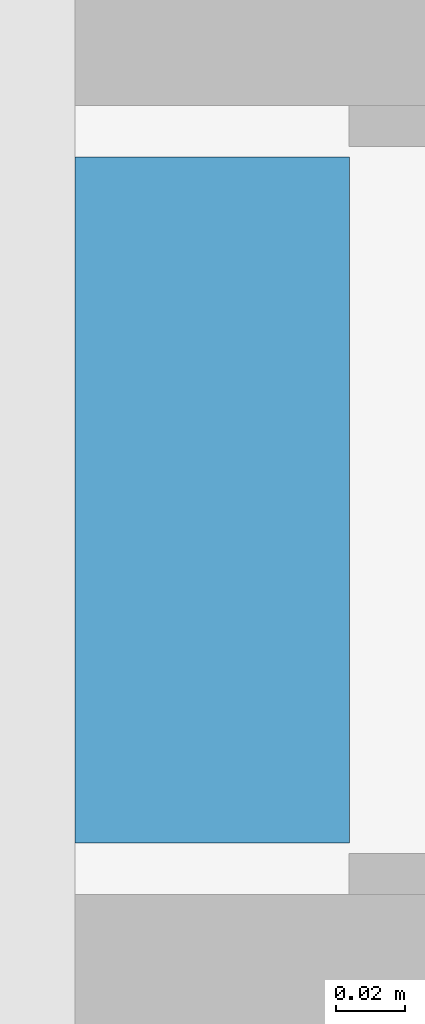
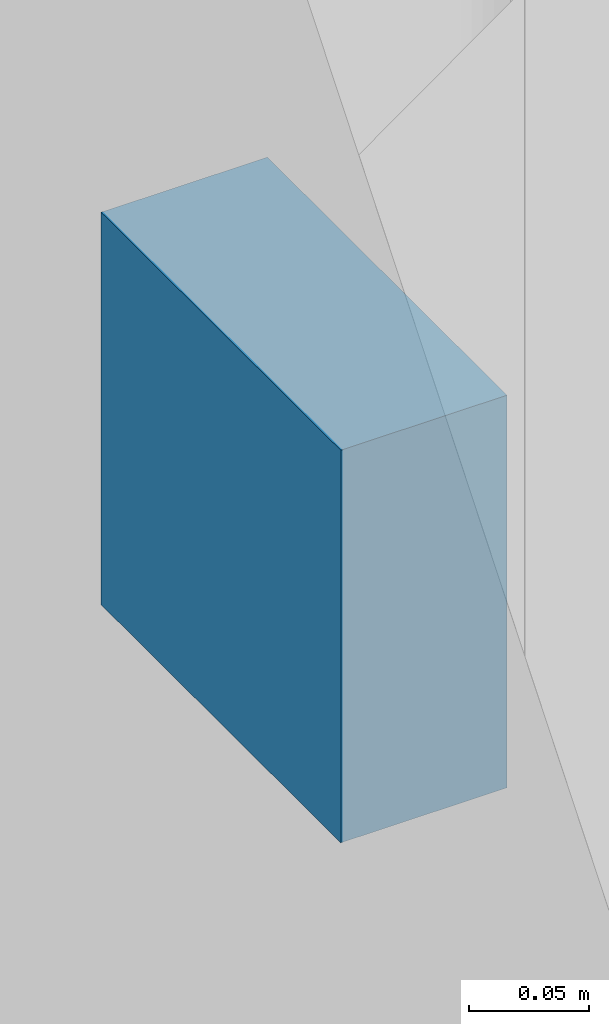
# One storey, part 110 of 121: 1 discrete accessory.
"""IFC4 building model written with IfcOpenShell, lengths in metres."""

from ifc_helpers import new_model, si_unit, direction, frame, origin, origin_2d, place, context, subcontext, project, spatial, rectangle, extrude, material, type_object, element, save


model = new_model("IFC4")

# Units and contexts
model_context = context("Model", 3, precision=1e-05, world=origin(), true_north=direction((0.0, 1.0)))
body_context = subcontext(model_context, "Body", "Model", "MODEL_VIEW")
ifc_project = project(units=[si_unit("LENGTHUNIT", "METRE"), si_unit("AREAUNIT", "SQUARE_METRE"), si_unit("VOLUMEUNIT", "CUBIC_METRE"), si_unit("PLANEANGLEUNIT", "RADIAN"), si_unit("MASSUNIT", "GRAM", prefix="KILO")], contexts=[model_context])

# Site, building, storey
site_placement = place(None, origin())
site = spatial("IfcSite", under=ifc_project, at=site_placement, CompositionType="ELEMENT")
building_placement = place(site_placement, origin())
building = spatial("IfcBuilding", under=site, at=building_placement, Name="Golden Quay Civic Hall", CompositionType="ELEMENT")
storey_placement = place(building_placement, frame((0.0, 0.0, 18.60009765625)))
storey = spatial("IfcBuildingStorey", under=building, at=storey_placement, Name="L04", CompositionType="ELEMENT", Elevation=18.60009765625)

# Discrete accessory
ifc_material = material(Name="Steel S355", Category="steel")
discrete_accessory_type = type_object("IfcDiscreteAccessoryType", Name="Pier fixing bracket 200 x 200", PredefinedType="BRACKET", material=ifc_material)
discrete_accessory_placement = place(storey_placement, frame((-0.159912109375, 63.0, 1.39990234375), z_axis=(0.0, 0.0, 1.0), x_axis=(0.0, -1.0, 0.0)))
element("IfcDiscreteAccessory", 1, at=discrete_accessory_placement, inside=storey, type_object=discrete_accessory_type, Name="Pier fixing bracket 200 x 200 L04 7", PredefinedType="BRACKET", context=body_context, shape_type="SweptSolid", body=[
    extrude(rectangle(XDim=0.199951171875, YDim=0.080078125, at=origin_2d()), origin(), (0.0, 0.0, 1.0), 0.199951171875),
])

save(model, "model.ifc")
